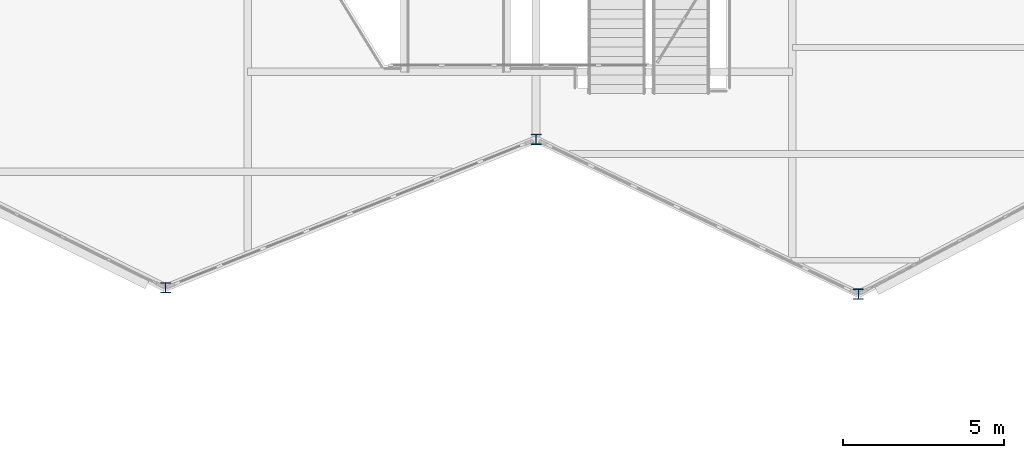
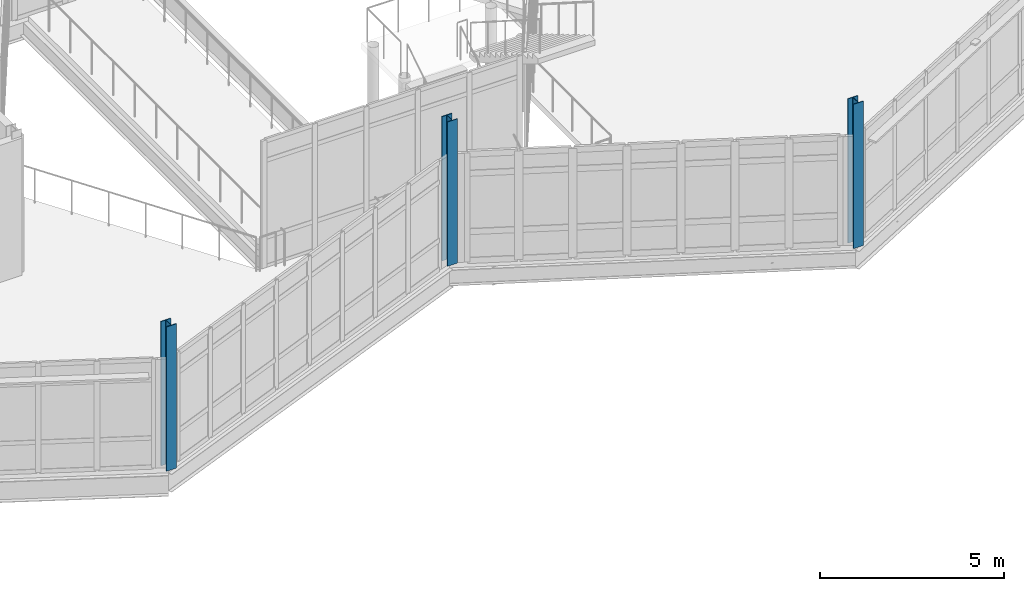
# One storey, part 2 of 76: 3 columns.
"""IFC4 building model written with IfcOpenShell, lengths in metres."""

from ifc_helpers import new_model, si_unit, direction, frame, origin, origin_2d, place, context, subcontext, project, spatial, i_section, extrude, material, material_profile, profile_set, type_object, element, save


model = new_model("IFC4")

# Units and contexts
model_context = context("Model", 3, precision=1e-05, world=origin(), true_north=direction((0.0, 1.0)))
body_context = subcontext(model_context, "Body", "Model", "MODEL_VIEW")
ifc_project = project(units=[si_unit("LENGTHUNIT", "METRE"), si_unit("AREAUNIT", "SQUARE_METRE"), si_unit("VOLUMEUNIT", "CUBIC_METRE"), si_unit("PLANEANGLEUNIT", "RADIAN"), si_unit("MASSUNIT", "GRAM", prefix="KILO")], contexts=[model_context])

# Site, building, storey
site_placement = place(None, origin())
site = spatial("IfcSite", under=ifc_project, at=site_placement, CompositionType="ELEMENT")
building_placement = place(site_placement, origin())
building = spatial("IfcBuilding", under=site, at=building_placement, Name="Tameran Prism Museum", CompositionType="ELEMENT")
storey_placement = place(building_placement, frame((0.0, 0.0, 15.0)))
storey = spatial("IfcBuildingStorey", under=building, at=storey_placement, Name="L03", CompositionType="ELEMENT", Elevation=15.0)

# Columns
ifc_material = material(Name="Steel Grade 350 (350 MPa)", Category="steel")
ifc_material_profile = material_profile(ifc_material, i_section(OverallWidth=0.30908203125, OverallDepth=0.321044921875, WebThickness=0.013916015625, FlangeThickness=0.021728515625, FilletRadius=0.0166015625, at=origin_2d()))
ifc_profile_set = profile_set([ifc_material_profile])
column_type = type_object("IfcColumnType", Name="COL-UC310B", PredefinedType="COLUMN", material=ifc_profile_set)
for number, where, z_axis, x_axis, name in (
    (1, (66.0, 22.800048828125, 0.0), (0.0, 0.0, 1.0), (1.0, 0.0, 0.0), "Column CV-32 L03"),
    (2, (77.5, 27.39990234375, 0.0), (0.0, 0.0, 1.0), (1.0, 0.0, 0.0), "Column CV-34 L03"),
    (3, (87.5, 22.60009765625, 0.0), (0.0, 0.0, 1.0), (1.0, 0.0, 0.0), "Column CV-36 L03"),
):
    element("IfcColumn", number, at=place(storey_placement, frame(where, z_axis=z_axis, x_axis=x_axis)), inside=storey, type_object=column_type, Name=name, PredefinedType="COLUMN", context=body_context, shape_type="SweptSolid", body=[
        extrude(i_section(OverallWidth=0.30908203125, OverallDepth=0.321044921875, WebThickness=0.013916015625, FlangeThickness=0.021728515625, FilletRadius=0.0166015625, at=origin_2d()), origin(), (0.0, 0.0, 1.0), 4.800048828125),
    ])

save(model, "model.ifc")
